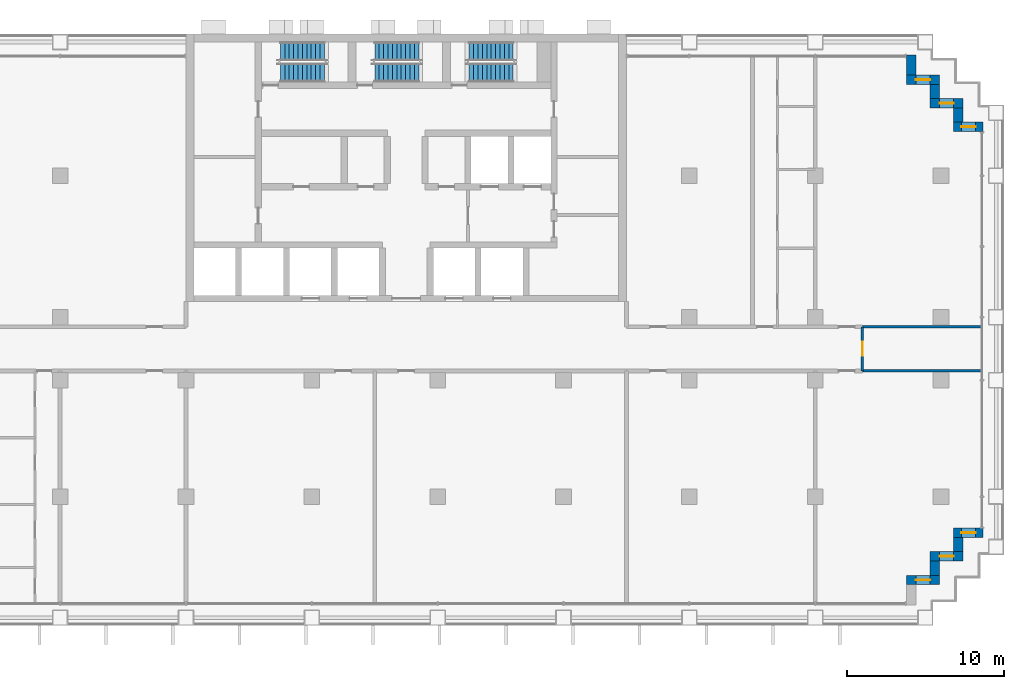
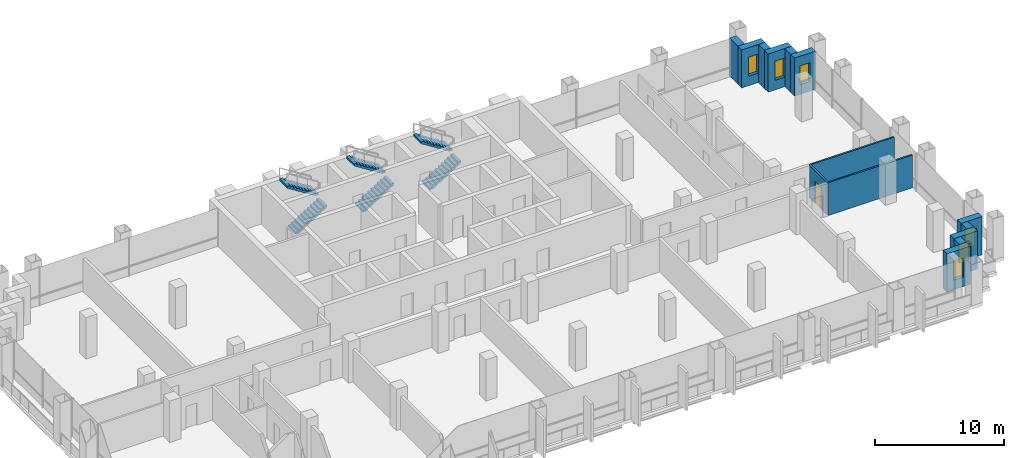
# One storey, part 10 of 13: 14 walls, 6 stair flights, 6 windows, 1 door, 7 openings, 3 elements without a shape of their own.
"""IFC4 building model written with IfcOpenShell, lengths in metres."""

from ifc_helpers import new_model, si_unit, direction, frame, frame_2d, origin, place, context, subcontext, project, spatial, polyline, rectangle, outline, extrude, material, layer, layer_set, type_object, element, fill, aggregate, save


model = new_model("IFC4")

# Units and contexts
model_context = context("Model", 3, precision=1e-05, world=origin(), true_north=direction((0.0, 1.0)))
body_context = subcontext(model_context, "Body", "Model", "MODEL_VIEW")
ifc_project = project(units=[si_unit("LENGTHUNIT", "METRE"), si_unit("AREAUNIT", "SQUARE_METRE"), si_unit("VOLUMEUNIT", "CUBIC_METRE"), si_unit("PLANEANGLEUNIT", "RADIAN"), si_unit("MASSUNIT", "GRAM", prefix="KILO")], contexts=[model_context])

# Site, building, storey
site_placement = place(None, origin())
site = spatial("IfcSite", under=ifc_project, at=site_placement, CompositionType="ELEMENT")
building_placement = place(site_placement, origin())
building = spatial("IfcBuilding", under=site, at=building_placement, Name="Vidyagriha Tower", CompositionType="ELEMENT")
storey_placement = place(building_placement, frame((0.0, 0.0, 33.800048828125)))
storey = spatial("IfcBuildingStorey", under=building, at=storey_placement, Name="L08", CompositionType="ELEMENT", Elevation=33.800048828125)

# Wall, opening, window
ifc_material_1 = material(Name="Precast concrete C40/50 with brick facing", Category="concrete")
ifc_layer_1 = layer(ifc_material_1, 0.60009765625)
ifc_layer_set_1 = layer_set([ifc_layer_1], Name="Precast concrete C40/50 with brick facing")
wall_type_1 = type_object("IfcWallType", Name="Brick-faced precast wall 600", PredefinedType="STANDARD", material=ifc_layer_set_1)
wall_1_placement = place(storey_placement, frame((36.679931640625, 14.10009765625, 0.0), z_axis=(0.0, 0.0, 1.0), x_axis=(-1.0, 0.0, 0.0)))
wall_1 = element("IfcWall", 1, at=wall_1_placement, inside=storey, type_object=wall_type_1, Name="Stepped corner wall L08 R01", PredefinedType="STANDARD", context=body_context, shape_type="SweptSolid", body=[
    extrude(rectangle(XDim=1.8798828125, YDim=0.60009765625, at=frame_2d((0.93994140625, 0.0))), origin(), (0.0, 0.0, 1.0), 3.599853515625),
])
opening_1_placement = place(wall_1_placement, frame((0.489990234375, 0.0, 0.89990234375)))
opening_1 = element("IfcOpeningElement", 2, at=opening_1_placement, cuts=wall_1, Name="Opening WN2", PredefinedType="OPENING", context=body_context, shape_type="SweptSolid", body=[
    extrude(rectangle(XDim=0.89990234375, YDim=1.800048828125, at=frame_2d((0.449951171875, 0.89990234375))), frame((0.0, 0.31005859375, 0.0), z_axis=(0.0, -1.0, 0.0), x_axis=(1.0, 0.0, 0.0)), (0.0, 0.0, 1.0), 0.6201171875),
])
ifc_material_2 = material(Name="Aluminium and glass window", Category="aluminium")
window_type = type_object("IfcWindowType", Name="Reveal window 900x1800", PartitioningType="NOTDEFINED", PredefinedType="WINDOW", material=ifc_material_2)
window_1_placement = place(opening_1_placement, origin())
window_1 = element("IfcWindow", 3, at=window_1_placement, inside=storey, type_object=window_type, Name="Reveal window L08 R01", OverallHeight=1.800048828125, OverallWidth=0.89990234375, PartitioningType="SINGLE_PANEL", PredefinedType="WINDOW", context=body_context, shape_type="SweptSolid", body=[
    extrude(rectangle(XDim=0.89990234375, YDim=1.800048828125, at=frame_2d((0.449951171875, 0.89990234375))), frame((0.0, 0.030029296875, 0.0), z_axis=(0.0, -1.0, 0.0), x_axis=(1.0, 0.0, 0.0)), (0.0, 0.0, 1.0), 0.06005859375),
])
fill(opening_1, window_1)

# Wall
wall_2_placement = place(storey_placement, frame((35.10009765625, 14.39990234375, 0.0), z_axis=(0.0, 0.0, 1.0), x_axis=(0.0, 1.0, 0.0)))
element("IfcWall", 4, at=wall_2_placement, inside=storey, type_object=wall_type_1, Name="Stepped corner wall L08 R02", PredefinedType="STANDARD", context=body_context, shape_type="SweptSolid", body=[
    extrude(rectangle(XDim=0.900146484375, YDim=0.60009765625, at=frame_2d((0.4501953125, 0.0))), origin(), (0.0, 0.0, 1.0), 3.599853515625),
])

# Wall, opening, window
wall_3_placement = place(storey_placement, frame((35.39990234375, 15.60009765625, 0.0), z_axis=(0.0, 0.0, 1.0), x_axis=(-1.0, 0.0, 0.0)))
wall_3 = element("IfcWall", 5, at=wall_3_placement, inside=storey, type_object=wall_type_1, Name="Stepped corner wall L08 R03", PredefinedType="STANDARD", context=body_context, shape_type="SweptSolid", body=[
    extrude(rectangle(XDim=2.099853515625, YDim=0.60009765625, at=frame_2d((1.0498046875, 0.0))), origin(), (0.0, 0.0, 1.0), 3.599853515625),
])
opening_2_placement = place(wall_3_placement, frame((0.60009765625, 0.0, 0.89990234375)))
opening_2 = element("IfcOpeningElement", 6, at=opening_2_placement, cuts=wall_3, Name="Opening WN2", PredefinedType="OPENING", context=body_context, shape_type="SweptSolid", body=[
    extrude(rectangle(XDim=0.89990234375, YDim=1.800048828125, at=frame_2d((0.449951171875, 0.89990234375))), frame((0.0, 0.31005859375, 0.0), z_axis=(0.0, -1.0, 0.0), x_axis=(1.0, 0.0, 0.0)), (0.0, 0.0, 1.0), 0.6201171875),
])
window_2_placement = place(opening_2_placement, origin())
window_2 = element("IfcWindow", 7, at=window_2_placement, inside=storey, type_object=window_type, Name="Reveal window L08 R03", OverallHeight=1.800048828125, OverallWidth=0.89990234375, PartitioningType="SINGLE_PANEL", PredefinedType="WINDOW", context=body_context, shape_type="SweptSolid", body=[
    extrude(rectangle(XDim=0.89990234375, YDim=1.800048828125, at=frame_2d((0.449951171875, 0.89990234375))), frame((0.0, 0.030029296875, 0.0), z_axis=(0.0, -1.0, 0.0), x_axis=(1.0, 0.0, 0.0)), (0.0, 0.0, 1.0), 0.06005859375),
])
fill(opening_2, window_2)

# Wall
wall_4_placement = place(storey_placement, frame((33.60009765625, 15.89990234375, 0.0), z_axis=(0.0, 0.0, 1.0), x_axis=(0.0, 1.0, 0.0)))
element("IfcWall", 8, at=wall_4_placement, inside=storey, type_object=wall_type_1, Name="Stepped corner wall L08 R04", PredefinedType="STANDARD", context=body_context, shape_type="SweptSolid", body=[
    extrude(rectangle(XDim=0.900146484375, YDim=0.60009765625, at=frame_2d((0.4501953125, 0.0))), origin(), (0.0, 0.0, 1.0), 3.599853515625),
])

# Wall, opening, window
wall_5_placement = place(storey_placement, frame((33.89990234375, 17.10009765625, 0.0), z_axis=(0.0, 0.0, 1.0), x_axis=(-1.0, 0.0, 0.0)))
wall_5 = element("IfcWall", 9, at=wall_5_placement, inside=storey, type_object=wall_type_1, Name="Stepped corner wall L08 R05", PredefinedType="STANDARD", context=body_context, shape_type="SweptSolid", body=[
    extrude(rectangle(XDim=2.099853515625, YDim=0.60009765625, at=frame_2d((1.0498046875, 0.0))), origin(), (0.0, 0.0, 1.0), 3.599853515625),
])
opening_3_placement = place(wall_5_placement, frame((0.60009765625, 0.0, 0.89990234375)))
opening_3 = element("IfcOpeningElement", 10, at=opening_3_placement, cuts=wall_5, Name="Opening WN2", PredefinedType="OPENING", context=body_context, shape_type="SweptSolid", body=[
    extrude(rectangle(XDim=0.89990234375, YDim=1.800048828125, at=frame_2d((0.449951171875, 0.89990234375))), frame((0.0, 0.31005859375, 0.0), z_axis=(0.0, -1.0, 0.0), x_axis=(1.0, 0.0, 0.0)), (0.0, 0.0, 1.0), 0.6201171875),
])
window_3_placement = place(opening_3_placement, origin())
window_3 = element("IfcWindow", 11, at=window_3_placement, inside=storey, type_object=window_type, Name="Reveal window L08 R05", OverallHeight=1.800048828125, OverallWidth=0.89990234375, PartitioningType="SINGLE_PANEL", PredefinedType="WINDOW", context=body_context, shape_type="SweptSolid", body=[
    extrude(rectangle(XDim=0.89990234375, YDim=1.800048828125, at=frame_2d((0.449951171875, 0.89990234375))), frame((0.0, 0.030029296875, 0.0), z_axis=(0.0, -1.0, 0.0), x_axis=(1.0, 0.0, 0.0)), (0.0, 0.0, 1.0), 0.06005859375),
])
fill(opening_3, window_3)

# Wall
wall_6_placement = place(storey_placement, frame((32.10009765625, 17.39990234375, 0.0), z_axis=(0.0, 0.0, 1.0), x_axis=(0.0, 1.0, 0.0)))
element("IfcWall", 12, at=wall_6_placement, inside=storey, type_object=wall_type_1, Name="Stepped corner wall L08 R06", PredefinedType="STANDARD", context=body_context, shape_type="SweptSolid", body=[
    extrude(rectangle(XDim=1.280029296875, YDim=0.60009765625, at=frame_2d((0.64013671875, 0.0))), origin(), (0.0, 0.0, 1.0), 3.599853515625),
])

# Wall, opening, window
wall_7_placement = place(storey_placement, frame((31.800048828125, -14.699951171875, 0.0)))
wall_7 = element("IfcWall", 13, at=wall_7_placement, inside=storey, type_object=wall_type_1, Name="Stepped corner wall L08 R25", PredefinedType="STANDARD", context=body_context, shape_type="SweptSolid", body=[
    extrude(rectangle(XDim=2.099853515625, YDim=0.60009765625, at=frame_2d((1.0498046875, 0.0))), origin(), (0.0, 0.0, 1.0), 3.599853515625),
])
opening_4_placement = place(wall_7_placement, frame((0.60009765625, 0.0, 0.89990234375)))
opening_4 = element("IfcOpeningElement", 14, at=opening_4_placement, cuts=wall_7, Name="Opening WN2", PredefinedType="OPENING", context=body_context, shape_type="SweptSolid", body=[
    extrude(rectangle(XDim=0.89990234375, YDim=1.800048828125, at=frame_2d((0.449951171875, 0.89990234375))), frame((0.0, 0.31005859375, 0.0), z_axis=(0.0, -1.0, 0.0), x_axis=(1.0, 0.0, 0.0)), (0.0, 0.0, 1.0), 0.6201171875),
])
window_4_placement = place(opening_4_placement, origin())
window_4 = element("IfcWindow", 15, at=window_4_placement, inside=storey, type_object=window_type, Name="Reveal window L08 R25", OverallHeight=1.800048828125, OverallWidth=0.89990234375, PartitioningType="SINGLE_PANEL", PredefinedType="WINDOW", context=body_context, shape_type="SweptSolid", body=[
    extrude(rectangle(XDim=0.89990234375, YDim=1.800048828125, at=frame_2d((0.449951171875, 0.89990234375))), frame((0.0, 0.030029296875, 0.0), z_axis=(0.0, -1.0, 0.0), x_axis=(1.0, 0.0, 0.0)), (0.0, 0.0, 1.0), 0.06005859375),
])
fill(opening_4, window_4)

# Wall
wall_8_placement = place(storey_placement, frame((33.60009765625, -14.39990234375, 0.0), z_axis=(0.0, 0.0, 1.0), x_axis=(0.0, 1.0, 0.0)))
element("IfcWall", 16, at=wall_8_placement, inside=storey, type_object=wall_type_1, Name="Stepped corner wall L08 R26", PredefinedType="STANDARD", context=body_context, shape_type="SweptSolid", body=[
    extrude(rectangle(XDim=0.89990234375, YDim=0.60009765625, at=frame_2d((0.449951171875, 0.0))), origin(), (0.0, 0.0, 1.0), 3.599853515625),
])

# Wall, opening, window
wall_9_placement = place(storey_placement, frame((33.300048828125, -13.199951171875, 0.0)))
wall_9 = element("IfcWall", 17, at=wall_9_placement, inside=storey, type_object=wall_type_1, Name="Stepped corner wall L08 R27", PredefinedType="STANDARD", context=body_context, shape_type="SweptSolid", body=[
    extrude(rectangle(XDim=2.099853515625, YDim=0.60009765625, at=frame_2d((1.0498046875, 0.0))), origin(), (0.0, 0.0, 1.0), 3.599853515625),
])
opening_5_placement = place(wall_9_placement, frame((0.60009765625, 0.0, 0.89990234375)))
opening_5 = element("IfcOpeningElement", 18, at=opening_5_placement, cuts=wall_9, Name="Opening WN2", PredefinedType="OPENING", context=body_context, shape_type="SweptSolid", body=[
    extrude(rectangle(XDim=0.89990234375, YDim=1.800048828125, at=frame_2d((0.449951171875, 0.89990234375))), frame((0.0, 0.31005859375, 0.0), z_axis=(0.0, -1.0, 0.0), x_axis=(1.0, 0.0, 0.0)), (0.0, 0.0, 1.0), 0.6201171875),
])
window_5_placement = place(opening_5_placement, origin())
window_5 = element("IfcWindow", 19, at=window_5_placement, inside=storey, type_object=window_type, Name="Reveal window L08 R27", OverallHeight=1.800048828125, OverallWidth=0.89990234375, PartitioningType="SINGLE_PANEL", PredefinedType="WINDOW", context=body_context, shape_type="SweptSolid", body=[
    extrude(rectangle(XDim=0.89990234375, YDim=1.800048828125, at=frame_2d((0.449951171875, 0.89990234375))), frame((0.0, 0.030029296875, 0.0), z_axis=(0.0, -1.0, 0.0), x_axis=(1.0, 0.0, 0.0)), (0.0, 0.0, 1.0), 0.06005859375),
])
fill(opening_5, window_5)

# Wall
wall_10_placement = place(storey_placement, frame((35.10009765625, -12.89990234375, 0.0), z_axis=(0.0, 0.0, 1.0), x_axis=(0.0, 1.0, 0.0)))
element("IfcWall", 20, at=wall_10_placement, inside=storey, type_object=wall_type_1, Name="Stepped corner wall L08 R28", PredefinedType="STANDARD", context=body_context, shape_type="SweptSolid", body=[
    extrude(rectangle(XDim=0.89990234375, YDim=0.60009765625, at=frame_2d((0.449951171875, 0.0))), origin(), (0.0, 0.0, 1.0), 3.599853515625),
])

# Wall, opening, window
wall_11_placement = place(storey_placement, frame((34.800048828125, -11.699951171875, 0.0)))
wall_11 = element("IfcWall", 21, at=wall_11_placement, inside=storey, type_object=wall_type_1, Name="Stepped corner wall L08 R29", PredefinedType="STANDARD", context=body_context, shape_type="SweptSolid", body=[
    extrude(rectangle(XDim=1.8798828125, YDim=0.60009765625, at=frame_2d((0.93994140625, 0.0))), origin(), (0.0, 0.0, 1.0), 3.599853515625),
])
opening_6_placement = place(wall_11_placement, frame((0.489990234375, 0.0, 0.89990234375)))
opening_6 = element("IfcOpeningElement", 22, at=opening_6_placement, cuts=wall_11, Name="Opening WN2", PredefinedType="OPENING", context=body_context, shape_type="SweptSolid", body=[
    extrude(rectangle(XDim=0.89990234375, YDim=1.800048828125, at=frame_2d((0.449951171875, 0.89990234375))), frame((0.0, 0.31005859375, 0.0), z_axis=(0.0, -1.0, 0.0), x_axis=(1.0, 0.0, 0.0)), (0.0, 0.0, 1.0), 0.6201171875),
])
window_6_placement = place(opening_6_placement, origin())
window_6 = element("IfcWindow", 23, at=window_6_placement, inside=storey, type_object=window_type, Name="Reveal window L08 R29", OverallHeight=1.800048828125, OverallWidth=0.89990234375, PartitioningType="SINGLE_PANEL", PredefinedType="WINDOW", context=body_context, shape_type="SweptSolid", body=[
    extrude(rectangle(XDim=0.89990234375, YDim=1.800048828125, at=frame_2d((0.449951171875, 0.89990234375))), frame((0.0, 0.030029296875, 0.0), z_axis=(0.0, -1.0, 0.0), x_axis=(1.0, 0.0, 0.0)), (0.0, 0.0, 1.0), 0.06005859375),
])
fill(opening_6, window_6)

# Wall
ifc_material_3 = material(Name="Gypsum board partition")
ifc_layer_2 = layer(ifc_material_3, 0.14990234375)
ifc_layer_set_2 = layer_set([ifc_layer_2], Name="Gypsum board partition")
wall_type_2 = type_object("IfcWallType", Name="Gypsum board partition 150", PredefinedType="PARTITIONING", material=ifc_layer_set_2)
wall_12_placement = place(storey_placement, frame((36.530029296875, -1.39990234375, 0.0), z_axis=(0.0, 0.0, 1.0), x_axis=(-1.0, 0.0, 0.0)))
element("IfcWall", 24, at=wall_12_placement, inside=storey, type_object=wall_type_2, Name="Wall all-L08-w025", PredefinedType="PARTITIONING", context=body_context, shape_type="SweptSolid", body=[
    extrude(rectangle(XDim=7.530029296875, YDim=0.14990234375, at=frame_2d((3.76513671875, 0.0))), origin(), (0.0, 0.0, 1.0), 3.099853515625),
])

# Wall, opening, door
wall_13_placement = place(storey_placement, frame((29.0, -1.39990234375, 0.0), z_axis=(0.0, 0.0, 1.0), x_axis=(0.0, 1.0, 0.0)))
wall_13 = element("IfcWall", 25, at=wall_13_placement, inside=storey, type_object=wall_type_2, Name="Wall all-L08-w026", PredefinedType="PARTITIONING", context=body_context, shape_type="SweptSolid", body=[
    extrude(rectangle(XDim=2.7998046875, YDim=0.14990234375, at=frame_2d((1.39990234375, 0.0))), origin(), (0.0, 0.0, 1.0), 3.099853515625),
])
opening_7_placement = place(wall_13_placement, frame((0.949951171875, 0.0, 0.0)))
opening_7 = element("IfcOpeningElement", 26, at=opening_7_placement, cuts=wall_13, Name="Opening D08-26", PredefinedType="OPENING", context=body_context, shape_type="SweptSolid", body=[
    extrude(rectangle(XDim=0.89990234375, YDim=2.10009765625, at=frame_2d((0.449951171875, 1.050048828125))), frame((0.0, 0.0849609375, 0.0), z_axis=(0.0, -1.0, 0.0), x_axis=(1.0, 0.0, 0.0)), (0.0, 0.0, 1.0), 0.169921875),
])
ifc_material_4 = material(Name="Timber door leaf", Category="wood")
door_type = type_object("IfcDoorType", Name="Room door 900x2100", OperationType="NOTDEFINED", PredefinedType="DOOR", material=ifc_material_4)
door_placement = place(opening_7_placement, origin())
door = element("IfcDoor", 27, at=door_placement, inside=storey, type_object=door_type, Name="Door D08-26", OperationType="SINGLE_SWING_RIGHT", OverallHeight=2.10009765625, OverallWidth=0.89990234375, PredefinedType="DOOR", context=body_context, shape_type="SweptSolid", body=[
    extrude(rectangle(XDim=0.89990234375, YDim=2.10009765625, at=frame_2d((0.449951171875, 1.050048828125))), frame((0.0, 0.02490234375, 0.0), z_axis=(0.0, -1.0, 0.0), x_axis=(1.0, 0.0, 0.0)), (0.0, 0.0, 1.0), 0.050048828125),
])
fill(opening_7, door)

# Wall
wall_14_placement = place(storey_placement, frame((29.0, 1.39990234375, 0.0)))
element("IfcWall", 28, at=wall_14_placement, inside=storey, type_object=wall_type_2, Name="Wall all-L08-w033", PredefinedType="PARTITIONING", context=body_context, shape_type="SweptSolid", body=[
    extrude(rectangle(XDim=7.530029296875, YDim=0.14990234375, at=frame_2d((3.76513671875, 0.0))), origin(), (0.0, 0.0, 1.0), 3.099853515625),
])

# Stair, stair flights
ifc_material_5 = material(Name="Concrete C40/50", Category="concrete")
stair_type = type_object("IfcStairType", Name="Exit stair, half-turn, precast flights", PredefinedType="HALF_TURN_STAIR", material=ifc_material_5)
stair_1_placement = place(storey_placement, origin())
stair_1 = element("IfcStair", 29, at=stair_1_placement, inside=storey, type_object=stair_type, Name="L08 Exit Stair ST1", PredefinedType="HALF_TURN_STAIR")
ifc_material_6 = material(Name="Precast concrete C40/50", Category="concrete")
stair_flight_type = type_object("IfcStairFlightType", Name="Exit stair flight 1200 mm, precast", PredefinedType="STRAIGHT", material=ifc_material_6)
stair_flight_1_placement = place(storey_placement, frame((-8.0, 17.550048828125, 0.0)))
stair_flight_1 = element("IfcStairFlight", 30, at=stair_flight_1_placement, type_object=stair_flight_type, Name="ST1 flight 1", NumberOfRisers=11, NumberOfTreads=10, PredefinedType="STRAIGHT", RiserHeight=0.177272727, TreadLength=0.28, context=body_context, shape_type="SweptSolid", body=[
    extrude(outline(polyline([(0.0, 0.0), (0.0, 0.17724609375), (0.280029296875, 0.17724609375), (0.280029296875, 0.3544921875), (0.56005859375, 0.3544921875), (0.56005859375, 0.53173828125), (0.840087890625, 0.53173828125), (0.840087890625, 0.708984375), (1.1201171875, 0.708984375), (1.1201171875, 0.886474609375), (1.39990234375, 0.886474609375), (1.39990234375, 1.063720703125), (1.679931640625, 1.063720703125), (1.679931640625, 1.240966796875), (1.9599609375, 1.240966796875), (1.9599609375, 1.418212890625), (2.239990234375, 1.418212890625), (2.239990234375, 1.595458984375), (2.52001953125, 1.595458984375), (2.52001953125, 1.772705078125), (2.800048828125, 1.772705078125), (2.800048828125, 1.949951171875), (2.800048828125, 1.59521484375), (0.2802734375, 0.0), (0.0, 0.0)])), frame((0.0, 0.60009765625, 0.0), z_axis=(0.0, -1.0, 0.0), x_axis=(1.0, 0.0, 0.0)), (0.0, 0.0, 1.0), 1.199951171875),
])
stair_flight_2_placement = place(storey_placement, frame((-5.199951171875, 18.89990234375, 1.949951171875), z_axis=(0.0, 0.0, 1.0), x_axis=(-1.0, 0.0, 0.0)))
stair_flight_2 = element("IfcStairFlight", 31, at=stair_flight_2_placement, type_object=stair_flight_type, Name="ST1 flight 2", NumberOfRisers=11, NumberOfTreads=10, PredefinedType="STRAIGHT", RiserHeight=0.177272727, TreadLength=0.28, context=body_context, shape_type="SweptSolid", body=[
    extrude(outline(polyline([(0.0, 0.0), (0.0, 0.17724609375), (0.280029296875, 0.17724609375), (0.280029296875, 0.3544921875), (0.56005859375, 0.3544921875), (0.56005859375, 0.53173828125), (0.840087890625, 0.53173828125), (0.840087890625, 0.708984375), (1.1201171875, 0.708984375), (1.1201171875, 0.886474609375), (1.39990234375, 0.886474609375), (1.39990234375, 1.063720703125), (1.679931640625, 1.063720703125), (1.679931640625, 1.240966796875), (1.9599609375, 1.240966796875), (1.9599609375, 1.418212890625), (2.239990234375, 1.418212890625), (2.239990234375, 1.595458984375), (2.52001953125, 1.595458984375), (2.52001953125, 1.772705078125), (2.800048828125, 1.772705078125), (2.800048828125, 1.949951171875), (2.800048828125, 1.59521484375), (0.2802734375, 0.0), (0.0, 0.0)])), frame((0.0, 0.60009765625, 0.0), z_axis=(0.0, -1.0, 0.0), x_axis=(1.0, 0.0, 0.0)), (0.0, 0.0, 1.0), 1.199951171875),
])
aggregate(stair_1, [stair_flight_1, stair_flight_2])

stair_2_placement = place(storey_placement, origin())
stair_2 = element("IfcStair", 32, at=stair_2_placement, inside=storey, type_object=stair_type, Name="L08 Exit Stair ST2", PredefinedType="HALF_TURN_STAIR")
stair_flight_3_placement = place(storey_placement, frame((-2.0, 17.550048828125, 0.0)))
stair_flight_3 = element("IfcStairFlight", 33, at=stair_flight_3_placement, type_object=stair_flight_type, Name="ST2 flight 1", NumberOfRisers=11, NumberOfTreads=10, PredefinedType="STRAIGHT", RiserHeight=0.177272727, TreadLength=0.28, context=body_context, shape_type="SweptSolid", body=[
    extrude(outline(polyline([(0.0, 0.0), (0.0, 0.17724609375), (0.280029296875, 0.17724609375), (0.280029296875, 0.3544921875), (0.56005859375, 0.3544921875), (0.56005859375, 0.53173828125), (0.840087890625, 0.53173828125), (0.840087890625, 0.708984375), (1.1201171875, 0.708984375), (1.1201171875, 0.886474609375), (1.39990234375, 0.886474609375), (1.39990234375, 1.063720703125), (1.679931640625, 1.063720703125), (1.679931640625, 1.240966796875), (1.9599609375, 1.240966796875), (1.9599609375, 1.418212890625), (2.239990234375, 1.418212890625), (2.239990234375, 1.595458984375), (2.52001953125, 1.595458984375), (2.52001953125, 1.772705078125), (2.800048828125, 1.772705078125), (2.800048828125, 1.949951171875), (2.800048828125, 1.59521484375), (0.2802734375, 0.0), (0.0, 0.0)])), frame((0.0, 0.60009765625, 0.0), z_axis=(0.0, -1.0, 0.0), x_axis=(1.0, 0.0, 0.0)), (0.0, 0.0, 1.0), 1.199951171875),
])
stair_flight_4_placement = place(storey_placement, frame((0.800048828125, 18.89990234375, 1.949951171875), z_axis=(0.0, 0.0, 1.0), x_axis=(-1.0, 0.0, 0.0)))
stair_flight_4 = element("IfcStairFlight", 34, at=stair_flight_4_placement, type_object=stair_flight_type, Name="ST2 flight 2", NumberOfRisers=11, NumberOfTreads=10, PredefinedType="STRAIGHT", RiserHeight=0.177272727, TreadLength=0.28, context=body_context, shape_type="SweptSolid", body=[
    extrude(outline(polyline([(0.0, 0.0), (0.0, 0.17724609375), (0.280029296875, 0.17724609375), (0.280029296875, 0.3544921875), (0.56005859375, 0.3544921875), (0.56005859375, 0.53173828125), (0.840087890625, 0.53173828125), (0.840087890625, 0.708984375), (1.1201171875, 0.708984375), (1.1201171875, 0.886474609375), (1.39990234375, 0.886474609375), (1.39990234375, 1.063720703125), (1.679931640625, 1.063720703125), (1.679931640625, 1.240966796875), (1.9599609375, 1.240966796875), (1.9599609375, 1.418212890625), (2.239990234375, 1.418212890625), (2.239990234375, 1.595458984375), (2.52001953125, 1.595458984375), (2.52001953125, 1.772705078125), (2.800048828125, 1.772705078125), (2.800048828125, 1.949951171875), (2.800048828125, 1.59521484375), (0.2802734375, 0.0), (0.0, 0.0)])), frame((0.0, 0.60009765625, 0.0), z_axis=(0.0, -1.0, 0.0), x_axis=(1.0, 0.0, 0.0)), (0.0, 0.0, 1.0), 1.199951171875),
])
aggregate(stair_2, [stair_flight_3, stair_flight_4])

stair_3_placement = place(storey_placement, origin())
stair_3 = element("IfcStair", 35, at=stair_3_placement, inside=storey, type_object=stair_type, Name="L08 Exit Stair ST3", PredefinedType="HALF_TURN_STAIR")
stair_flight_5_placement = place(storey_placement, frame((4.0, 17.550048828125, 0.0)))
stair_flight_5 = element("IfcStairFlight", 36, at=stair_flight_5_placement, type_object=stair_flight_type, Name="ST3 flight 1", NumberOfRisers=11, NumberOfTreads=10, PredefinedType="STRAIGHT", RiserHeight=0.177272727, TreadLength=0.28, context=body_context, shape_type="SweptSolid", body=[
    extrude(outline(polyline([(0.0, 0.0), (0.0, 0.17724609375), (0.280029296875, 0.17724609375), (0.280029296875, 0.3544921875), (0.56005859375, 0.3544921875), (0.56005859375, 0.53173828125), (0.840087890625, 0.53173828125), (0.840087890625, 0.708984375), (1.1201171875, 0.708984375), (1.1201171875, 0.886474609375), (1.39990234375, 0.886474609375), (1.39990234375, 1.063720703125), (1.679931640625, 1.063720703125), (1.679931640625, 1.240966796875), (1.9599609375, 1.240966796875), (1.9599609375, 1.418212890625), (2.239990234375, 1.418212890625), (2.239990234375, 1.595458984375), (2.52001953125, 1.595458984375), (2.52001953125, 1.772705078125), (2.800048828125, 1.772705078125), (2.800048828125, 1.949951171875), (2.800048828125, 1.59521484375), (0.2802734375, 0.0), (0.0, 0.0)])), frame((0.0, 0.60009765625, 0.0), z_axis=(0.0, -1.0, 0.0), x_axis=(1.0, 0.0, 0.0)), (0.0, 0.0, 1.0), 1.199951171875),
])
stair_flight_6_placement = place(storey_placement, frame((6.800048828125, 18.89990234375, 1.949951171875), z_axis=(0.0, 0.0, 1.0), x_axis=(-1.0, 0.0, 0.0)))
stair_flight_6 = element("IfcStairFlight", 37, at=stair_flight_6_placement, type_object=stair_flight_type, Name="ST3 flight 2", NumberOfRisers=11, NumberOfTreads=10, PredefinedType="STRAIGHT", RiserHeight=0.177272727, TreadLength=0.28, context=body_context, shape_type="SweptSolid", body=[
    extrude(outline(polyline([(0.0, 0.0), (0.0, 0.17724609375), (0.280029296875, 0.17724609375), (0.280029296875, 0.3544921875), (0.56005859375, 0.3544921875), (0.56005859375, 0.53173828125), (0.840087890625, 0.53173828125), (0.840087890625, 0.708984375), (1.1201171875, 0.708984375), (1.1201171875, 0.886474609375), (1.39990234375, 0.886474609375), (1.39990234375, 1.063720703125), (1.679931640625, 1.063720703125), (1.679931640625, 1.240966796875), (1.9599609375, 1.240966796875), (1.9599609375, 1.418212890625), (2.239990234375, 1.418212890625), (2.239990234375, 1.595458984375), (2.52001953125, 1.595458984375), (2.52001953125, 1.772705078125), (2.800048828125, 1.772705078125), (2.800048828125, 1.949951171875), (2.800048828125, 1.59521484375), (0.2802734375, 0.0), (0.0, 0.0)])), frame((0.0, 0.60009765625, 0.0), z_axis=(0.0, -1.0, 0.0), x_axis=(1.0, 0.0, 0.0)), (0.0, 0.0, 1.0), 1.199951171875),
])
aggregate(stair_3, [stair_flight_5, stair_flight_6])

save(model, "model.ifc")
